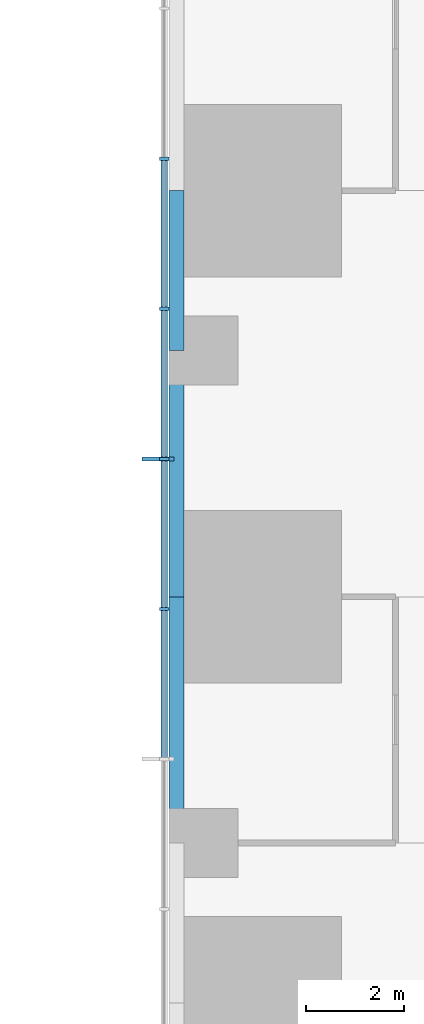
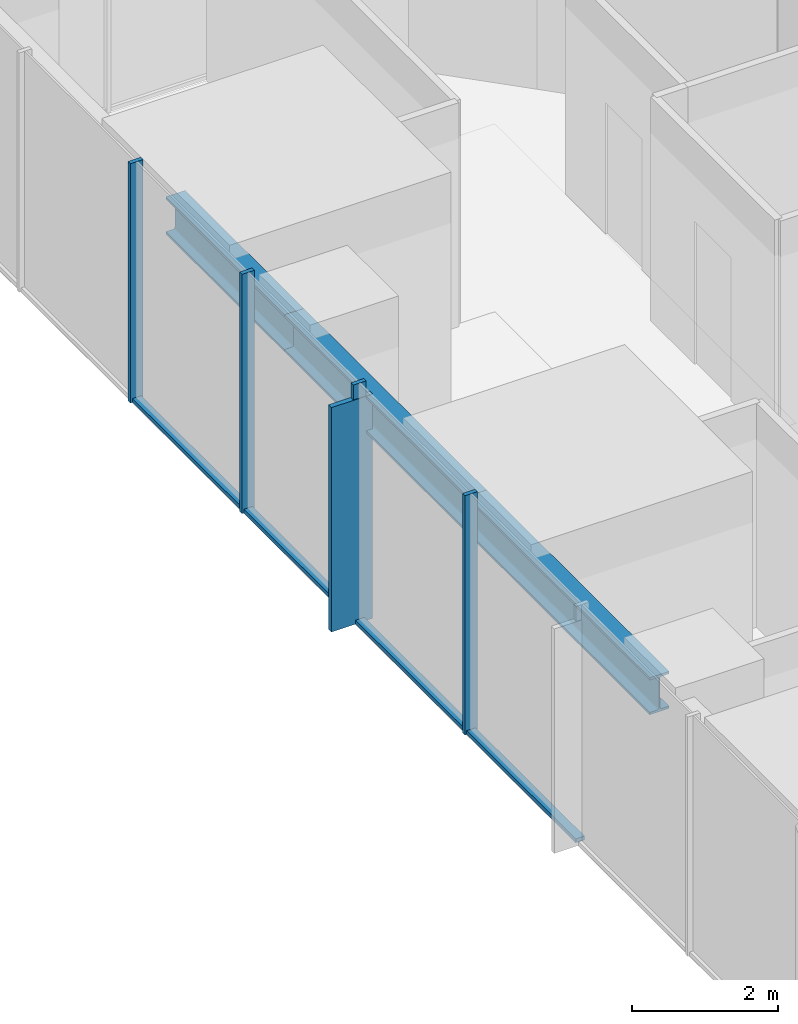
# One storey, part 3 of 17: 9 members, 3 beams, 1 element without a shape of its own.
"""IFC4 building model written with IfcOpenShell, lengths in metres."""

import ifcopenshell
import ifcopenshell.guid

model = None  # the IFC model being written
_history = None  # IfcOwnerHistory: only IFC2X3 demands one
_inside = {}  # id of a spatial element -> (the spatial element, [elements in it])
_under = {}  # id of a project, library or spatial element -> (it, [spatial elements below it])
_declared = {}  # id of a project -> (the project, [libraries it declares])
_typed = {}  # id of a type object -> (the type object, [elements of that type])
_made_of = {}  # id of a material, layer set ... -> (it, [elements and type objects made of it])


def new_model(schema):
    """Start an empty IFC model of exactly this schema.

    Asked for "IFC4X3", IfcOpenShell would pick the latest addendum, in which some entities
    have other attributes; the version numbers below select the first issue.
    IFC2X3 requires an IfcOwnerHistory on every rooted entity: one is made here for all.
    """
    global model, _history
    if schema == "IFC4X3":
        model = ifcopenshell.file(schema_version=(4, 3, 0, 0))
    else:
        model = ifcopenshell.file(schema=schema)
    _inside.clear()
    _under.clear()
    _declared.clear()
    _typed.clear()
    _made_of.clear()
    _history = None
    if model.schema == "IFC2X3":
        org = make("IfcOrganization", Name="unknown")
        user = make(
            "IfcPersonAndOrganization",
            ThePerson=make("IfcPerson", FamilyName="unknown"),
            TheOrganization=org,
        )
        app = make(
            "IfcApplication",
            ApplicationDeveloper=org,
            Version="unknown",
            ApplicationFullName="unknown",
            ApplicationIdentifier="unknown",
        )
        _history = make(
            "IfcOwnerHistory",
            OwningUser=user,
            OwningApplication=app,
            ChangeAction="ADDED",
            CreationDate=0,
        )
    return model


def make(cls, **values):
    """One entity of the class cls with the attributes given. An attribute that is None is left unset."""
    return model.create_entity(
        cls, **{name: value for name, value in values.items() if value is not None}
    )


def rooted(cls, **values):
    """An entity with a GlobalId (a new one), such as an element, a storey or a relation."""
    return make(cls, GlobalId=ifcopenshell.guid.new(), OwnerHistory=_history, **values)


def si_unit(unit_type, name, prefix=None):
    """IfcSIUnit, for example si_unit("LENGTHUNIT", "METRE", prefix="MILLI")."""
    return make("IfcSIUnit", UnitType=unit_type, Prefix=prefix, Name=name)


def assignment(units):
    """IfcUnitAssignment: the units of a project."""
    return None if units is None else make("IfcUnitAssignment", Units=units)


def point(xyz):
    """IfcCartesianPoint."""
    return None if xyz is None else make("IfcCartesianPoint", Coordinates=xyz)


def direction(xyz):
    """IfcDirection."""
    return None if xyz is None else make("IfcDirection", DirectionRatios=xyz)


def frame(location, z_axis=None, x_axis=None):
    """IfcAxis2Placement3D, a coordinate frame: its origin and axes. An axis left out is left unset."""
    return make(
        "IfcAxis2Placement3D",
        Location=point(location),
        Axis=direction(z_axis),
        RefDirection=direction(x_axis),
    )


def frame_2d(location, x_axis=None):
    """IfcAxis2Placement2D, a coordinate frame in the plane: its origin and x axis."""
    return make(
        "IfcAxis2Placement2D", Location=point(location), RefDirection=direction(x_axis)
    )


def origin():
    """The frame at (0, 0, 0) with its axes left unset."""
    return frame((0.0, 0.0, 0.0))


def origin_2d():
    """The frame at (0, 0) in the plane with its x axis left unset."""
    return frame_2d((0.0, 0.0))


def place(relative_to, where):
    """IfcLocalPlacement: puts the frame where relative to a parent placement (None: the world)."""
    return make(
        "IfcLocalPlacement", PlacementRelTo=relative_to, RelativePlacement=where
    )


def context(
    kind, dimensions, precision=None, world=None, true_north=None, identifier=None
):
    """IfcGeometricRepresentationContext, for example the 3D "Model" context."""
    return make(
        "IfcGeometricRepresentationContext",
        ContextIdentifier=identifier,
        ContextType=kind,
        CoordinateSpaceDimension=dimensions,
        Precision=precision,
        WorldCoordinateSystem=world,
        TrueNorth=true_north,
    )


def subcontext(parent, identifier, kind, view, scale=None):
    """IfcGeometricRepresentationSubContext, for example "Body" below "Model"."""
    return make(
        "IfcGeometricRepresentationSubContext",
        ContextIdentifier=identifier,
        ContextType=kind,
        ParentContext=parent,
        TargetScale=scale,
        TargetView=view,
    )


def project(units=None, contexts=None):
    """IfcProject with its units and contexts."""
    return rooted(
        "IfcProject",
        Name="project",
        RepresentationContexts=contexts,
        UnitsInContext=assignment(units),
    )


def spatial(cls, under=None, at=None, **own):
    """A site, building, storey or space (cls), placed at a placement, below another one or the project."""
    s = rooted(cls, ObjectPlacement=at, **own)
    if under is not None:
        _under.setdefault(under.id(), (under, []))[1].append(s)
    return s


def profile(cls, at=None, kind="AREA", **sizes):
    """A parametric profile (cls). Its sizes go by their IFC names, for example OverallWidth=200.0."""
    return make(cls, ProfileType=kind, Position=at, **sizes)


def rectangle(**sizes):
    """IfcRectangleProfileDef."""
    return profile("IfcRectangleProfileDef", **sizes)


def i_section(**sizes):
    """IfcIShapeProfileDef."""
    return profile("IfcIShapeProfileDef", **sizes)


def extrude(swept, where, along, depth):
    """IfcExtrudedAreaSolid: the profile swept, set in the frame where, extruded along a direction by depth."""
    return make(
        "IfcExtrudedAreaSolid",
        SweptArea=swept,
        Position=where,
        ExtrudedDirection=direction(along),
        Depth=depth,
    )


def shape(context_of_items, identifier, shape_type, items):
    """IfcShapeRepresentation: the items that make up one representation, for example the "Body"."""
    return make(
        "IfcShapeRepresentation",
        ContextOfItems=context_of_items,
        RepresentationIdentifier=identifier,
        RepresentationType=shape_type,
        Items=items,
    )


def material(Name=None, Category=None):
    """IfcMaterial."""
    return make("IfcMaterial", Name=Name, Category=Category)


def material_profile(
    of_material, cross_section, Name=None, Category=None, Priority=None
):
    """IfcMaterialProfile: a cross section and its material."""
    return make(
        "IfcMaterialProfile",
        Name=Name,
        Material=of_material,
        Profile=cross_section,
        Priority=Priority,
        Category=Category,
    )


def profile_set(profiles, Name=None, composite=None):
    """IfcMaterialProfileSet."""
    return make(
        "IfcMaterialProfileSet",
        Name=Name,
        MaterialProfiles=profiles,
        CompositeProfile=composite,
    )


def made_of(thing, what):
    """Note that an element or type object is made of a material, layer set ...; save() writes the relation."""
    if what is not None:
        _made_of.setdefault(what.id(), (what, []))[1].append(thing)
    return thing


def type_object(cls, material=None, **own):
    """A type object (cls), such as IfcWallType, which elements share."""
    return made_of(rooted(cls, **own), material)


def element(
    cls,
    number,
    at=None,
    inside=None,
    cuts=None,
    type_object=None,
    material=None,
    context=None,
    identifier="Body",
    shape_type=None,
    held_by="IfcProductDefinitionShape",
    body=None,
    shapes=None,
    **own,
):
    """One element of the class cls, such as IfcWall. Its Tag is "e" and its number.

    at: its placement. inside: the storey or other place that contains it. cuts: it is an
    opening in that element (IfcRelVoidsElement). A single representation is given by context,
    identifier, shape_type and body (its items); several are given by shapes. held_by: the class
    of the entity that holds the representations. save() writes the other relations.
    """
    e = rooted(cls, Tag="e%d" % number, ObjectPlacement=at, **own)
    if body is not None:
        shapes = [shape(context, identifier, shape_type, body)]
    if shapes is not None:
        e.Representation = make(held_by, Representations=shapes)
    if inside is not None:
        _inside.setdefault(inside.id(), (inside, []))[1].append(e)
    if cuts is not None:
        rooted(
            "IfcRelVoidsElement", RelatingBuildingElement=cuts, RelatedOpeningElement=e
        )
    if type_object is not None:
        _typed.setdefault(type_object.id(), (type_object, []))[1].append(e)
    return made_of(e, material)


def aggregate(whole, parts):
    """IfcRelAggregates: a whole, such as a stair, and the parts it consists of."""
    return rooted("IfcRelAggregates", RelatingObject=whole, RelatedObjects=parts)


def save(model, path):
    """Write the relations noted so far, then the file.

    IfcRelAggregates (storeys below a building ...), IfcRelContainedInSpatialStructure (elements
    in a storey), IfcRelDefinesByType, IfcRelAssociatesMaterial and IfcRelDeclares: one each for
    every whole, place, type object, material and project.
    """
    for whole, parts in _under.values():
        aggregate(whole, parts)
    for where, things in _inside.values():
        rooted(
            "IfcRelContainedInSpatialStructure",
            RelatedElements=things,
            RelatingStructure=where,
        )
    for kind, things in _typed.values():
        rooted("IfcRelDefinesByType", RelatedObjects=things, RelatingType=kind)
    for what, things in _made_of.values():
        rooted("IfcRelAssociatesMaterial", RelatedObjects=things, RelatingMaterial=what)
    for by, libraries in _declared.values():
        rooted("IfcRelDeclares", RelatingContext=by, RelatedDefinitions=libraries)
    model.write(path)


model = new_model("IFC4")

# Units and contexts
model_context = context("Model", 3, precision=1e-05, world=origin(), true_north=direction((0.0, 1.0)))
body_context = subcontext(model_context, "Body", "Model", "MODEL_VIEW")
ifc_project = project(units=[si_unit("LENGTHUNIT", "METRE"), si_unit("AREAUNIT", "SQUARE_METRE"), si_unit("VOLUMEUNIT", "CUBIC_METRE"), si_unit("PLANEANGLEUNIT", "RADIAN"), si_unit("MASSUNIT", "GRAM", prefix="KILO")], contexts=[model_context])

# Site, building, storey
site_placement = place(None, origin())
site = spatial("IfcSite", under=ifc_project, at=site_placement, CompositionType="ELEMENT")
building_placement = place(site_placement, origin())
building = spatial("IfcBuilding", under=site, at=building_placement, Name="Svetlomir Tower", CompositionType="ELEMENT")
storey_placement = place(building_placement, frame((0.0, 0.0, 38.5)))
storey = spatial("IfcBuildingStorey", under=building, at=storey_placement, Name="L08", CompositionType="ELEMENT", Elevation=38.5)

# Curtain wall, members
ifc_material_1 = material(Name="Bronze anodised aluminium curtain wall", Category="aluminium")
curtain_wall_type = type_object("IfcCurtainWallType", Name="CURTAIN WALL CW1 TOWER OFFICE", PredefinedType="NOTDEFINED", material=ifc_material_1)
curtain_wall_placement = place(storey_placement, origin())
curtain_wall = element("IfcCurtainWall", 1, at=curtain_wall_placement, inside=storey, type_object=curtain_wall_type, Name="Curtain wall CW1 L08", PredefinedType="NOTDEFINED")
ifc_material_2 = material(Name="Bronze anodised aluminium", Category="aluminium")
ifc_material_profile_1 = material_profile(ifc_material_2, rectangle(XDim=0.080078125, YDim=0.64990234375, at=origin_2d()), Name="FIN 80x650")
ifc_profile_set_1 = profile_set([ifc_material_profile_1], Name="Bronze anodised aluminium 6063-T6")
member_type_1 = type_object("IfcMemberType", Name="BRONZE FIN 80x650", PredefinedType="USERDEFINED", material=ifc_profile_set_1)
member_1_placement = place(storey_placement, frame((-0.22509765625, 23.800048828125, 0.0), z_axis=(0.0, 0.0, 1.0), x_axis=(0.0, 1.0, 0.0)))
member_1 = element("IfcMember", 2, at=member_1_placement, type_object=member_type_1, Name="Bronze fin L08", ObjectType="FIN", PredefinedType="USERDEFINED", context=body_context, shape_type="SweptSolid", body=[
    extrude(rectangle(XDim=0.080078125, YDim=0.64990234375, at=origin_2d()), origin(), (0.0, 0.0, 1.0), 3.75),
])
ifc_material_3 = material(Name="Bronze anodised aluminium", Category="aluminium")
ifc_material_profile_2 = material_profile(ifc_material_3, rectangle(XDim=0.06494140625, YDim=0.199951171875, at=origin_2d()), Name="AL 65x200")
ifc_profile_set_2 = profile_set([ifc_material_profile_2], Name="Bronze anodised aluminium 6063-T6")
member_type_2 = type_object("IfcMemberType", Name="CW1 MULLION 65x200", PredefinedType="MULLION", material=ifc_profile_set_2)
member_2_placement = place(storey_placement, frame((-0.10009765625, 29.89990234375, 0.0), z_axis=(0.0, 0.0, 1.0), x_axis=(0.0, -1.0, 0.0)))
member_2 = element("IfcMember", 3, at=member_2_placement, type_object=member_type_2, Name="CW1 mullion 3", PredefinedType="MULLION", context=body_context, shape_type="SweptSolid", body=[
    extrude(rectangle(XDim=0.06494140625, YDim=0.199951171875, at=origin_2d()), origin(), (0.0, 0.0, 1.0), 4.0),
])
member_3_placement = place(storey_placement, frame((-0.10009765625, 26.85009765625, 0.0), z_axis=(0.0, 0.0, 1.0), x_axis=(0.0, -1.0, 0.0)))
member_3 = element("IfcMember", 4, at=member_3_placement, type_object=member_type_2, Name="CW1 mullion 4", PredefinedType="MULLION", context=body_context, shape_type="SweptSolid", body=[
    extrude(rectangle(XDim=0.06494140625, YDim=0.199951171875, at=origin_2d()), origin(), (0.0, 0.0, 1.0), 4.0),
])
member_4_placement = place(storey_placement, frame((-0.10009765625, 23.800048828125, 0.0), z_axis=(0.0, 0.0, 1.0), x_axis=(0.0, -1.0, 0.0)))
member_4 = element("IfcMember", 5, at=member_4_placement, type_object=member_type_2, Name="CW1 mullion 5", PredefinedType="MULLION", context=body_context, shape_type="SweptSolid", body=[
    extrude(rectangle(XDim=0.06494140625, YDim=0.199951171875, at=origin_2d()), origin(), (0.0, 0.0, 1.0), 4.0),
])
member_5_placement = place(storey_placement, frame((-0.10009765625, 20.75, 0.0), z_axis=(0.0, 0.0, 1.0), x_axis=(0.0, -1.0, 0.0)))
member_5 = element("IfcMember", 6, at=member_5_placement, type_object=member_type_2, Name="CW1 mullion 6", PredefinedType="MULLION", context=body_context, shape_type="SweptSolid", body=[
    extrude(rectangle(XDim=0.06494140625, YDim=0.199951171875, at=origin_2d()), origin(), (0.0, 0.0, 1.0), 4.0),
])
ifc_material_4 = material(Name="Bronze anodised aluminium", Category="aluminium")
ifc_material_profile_3 = material_profile(ifc_material_4, rectangle(XDim=0.139892578125, YDim=0.06494140625, at=origin_2d()), Name="AL 140x65")
ifc_profile_set_3 = profile_set([ifc_material_profile_3], Name="Bronze anodised aluminium 6063-T6")
member_type_3 = type_object("IfcMemberType", Name="CW1 TRANSOM 65x140", PredefinedType="USERDEFINED", material=ifc_profile_set_3)
member_6_placement = place(storey_placement, frame((-0.10009765625, 29.867431640625, 0.032470703125), z_axis=(0.0, -1.0, 0.0), x_axis=(1.0, 0.0, 0.0)))
member_6 = element("IfcMember", 7, at=member_6_placement, type_object=member_type_3, Name="CW1 transom 3.1", ObjectType="TRANSOM", PredefinedType="USERDEFINED", context=body_context, shape_type="SweptSolid", body=[
    extrude(rectangle(XDim=0.139892578125, YDim=0.06494140625, at=origin_2d()), origin(), (0.0, 0.0, 1.0), 2.98486328125),
])
member_7_placement = place(storey_placement, frame((-0.10009765625, 26.8173828125, 0.032470703125), z_axis=(0.0, -1.0, 0.0), x_axis=(1.0, 0.0, 0.0)))
member_7 = element("IfcMember", 8, at=member_7_placement, type_object=member_type_3, Name="CW1 transom 4.1", ObjectType="TRANSOM", PredefinedType="USERDEFINED", context=body_context, shape_type="SweptSolid", body=[
    extrude(rectangle(XDim=0.139892578125, YDim=0.06494140625, at=origin_2d()), origin(), (0.0, 0.0, 1.0), 2.98486328125),
])
member_8_placement = place(storey_placement, frame((-0.10009765625, 23.767578125, 0.032470703125), z_axis=(0.0, -1.0, 0.0), x_axis=(1.0, 0.0, 0.0)))
member_8 = element("IfcMember", 9, at=member_8_placement, type_object=member_type_3, Name="CW1 transom 5.1", ObjectType="TRANSOM", PredefinedType="USERDEFINED", context=body_context, shape_type="SweptSolid", body=[
    extrude(rectangle(XDim=0.139892578125, YDim=0.06494140625, at=origin_2d()), origin(), (0.0, 0.0, 1.0), 2.985107421875),
])
member_9_placement = place(storey_placement, frame((-0.10009765625, 20.717529296875, 0.032470703125), z_axis=(0.0, -1.0, 0.0), x_axis=(1.0, 0.0, 0.0)))
member_9 = element("IfcMember", 10, at=member_9_placement, type_object=member_type_3, Name="CW1 transom 6.1", ObjectType="TRANSOM", PredefinedType="USERDEFINED", context=body_context, shape_type="SweptSolid", body=[
    extrude(rectangle(XDim=0.139892578125, YDim=0.06494140625, at=origin_2d()), origin(), (0.0, 0.0, 1.0), 2.985107421875),
])
aggregate(curtain_wall, [member_2, member_3, member_4, member_5, member_6, member_7, member_8, member_9, member_1])

# Beams
ifc_material_5 = material(Name="Steel S355", Category="steel")
ifc_material_profile_4 = material_profile(ifc_material_5, i_section(OverallWidth=0.304931640625, OverallDepth=0.6201171875, WebThickness=0.02099609375, FlangeThickness=0.0400390625, FilletRadius=0.027099609375, at=origin_2d()), Name="HEM 600")
ifc_profile_set_4 = profile_set([ifc_material_profile_4], Name="Steel S355")
beam_type = type_object("IfcBeamType", Name="EDGE BEAM HEM 600", PredefinedType="SPANDREL", material=ifc_profile_set_4)
for number, where, z_axis, x_axis, name in (
    (11, (0.152587890625, 16.0, 3.43994140625), (0.0, 1.0, 0.0), (-1.0, 0.0, 0.0), "Edge beam 0/16 to 0/21 under L09"),
    (12, (0.152587890625, 21.0, 3.43994140625), (0.0, 1.0, 0.0), (-1.0, 0.0, 0.0), "Edge beam 0/21 to 0/26 under L09"),
):
    element("IfcBeam", number, at=place(storey_placement, frame(where, z_axis=z_axis, x_axis=x_axis)), inside=storey, type_object=beam_type, Name=name, PredefinedType="SPANDREL", context=body_context, shape_type="SweptSolid", body=[
        extrude(i_section(OverallWidth=0.304931640625, OverallDepth=0.6201171875, WebThickness=0.02099609375, FlangeThickness=0.0400390625, FilletRadius=0.027099609375, at=origin_2d()), origin(), (0.0, 0.0, 1.0), 5.0),
    ])
beam_placement = place(storey_placement, frame((0.152587890625, 26.0, 3.43994140625), z_axis=(0.0, 1.0, 0.0), x_axis=(-1.0, 0.0, 0.0)))
element("IfcBeam", 13, at=beam_placement, inside=storey, type_object=beam_type, Name="Edge beam 0/26 to 0/31 under L09", PredefinedType="SPANDREL", context=body_context, shape_type="SweptSolid", body=[
    extrude(i_section(OverallWidth=0.304931640625, OverallDepth=0.6201171875, WebThickness=0.02099609375, FlangeThickness=0.0400390625, FilletRadius=0.027099609375, at=origin_2d()), origin(), (0.0, 0.0, 1.0), 3.25),
])

save(model, "model.ifc")
